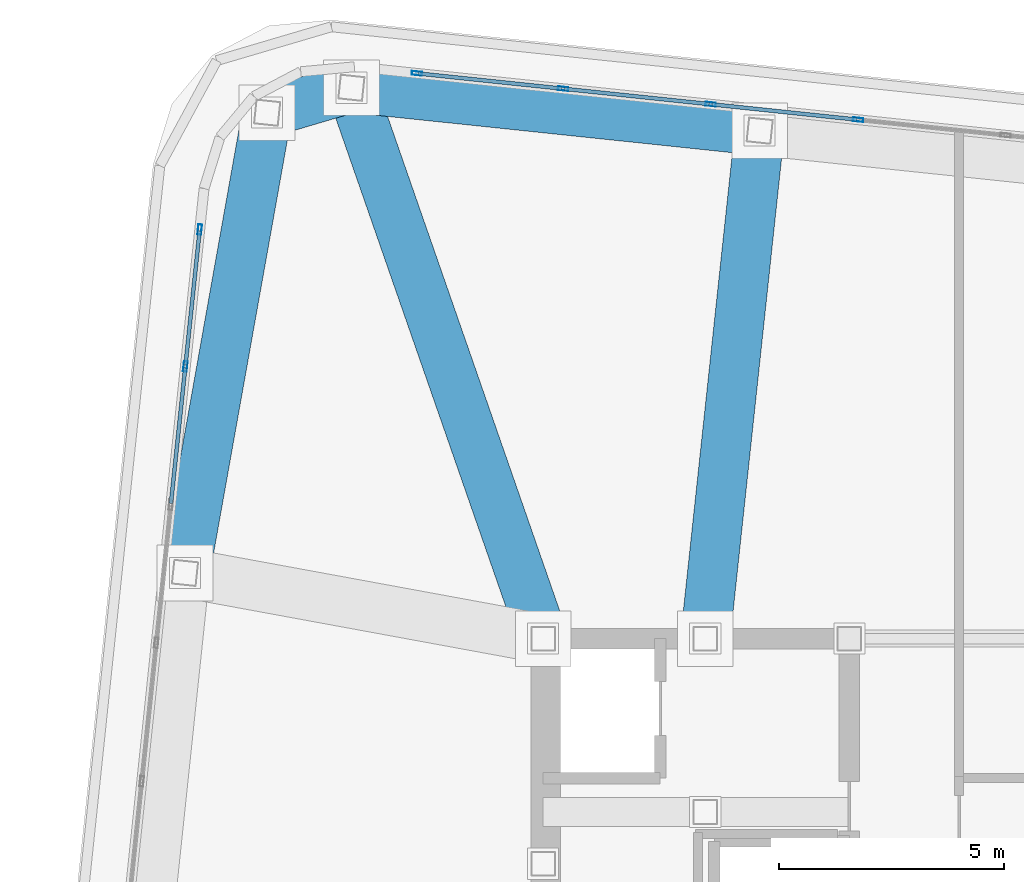
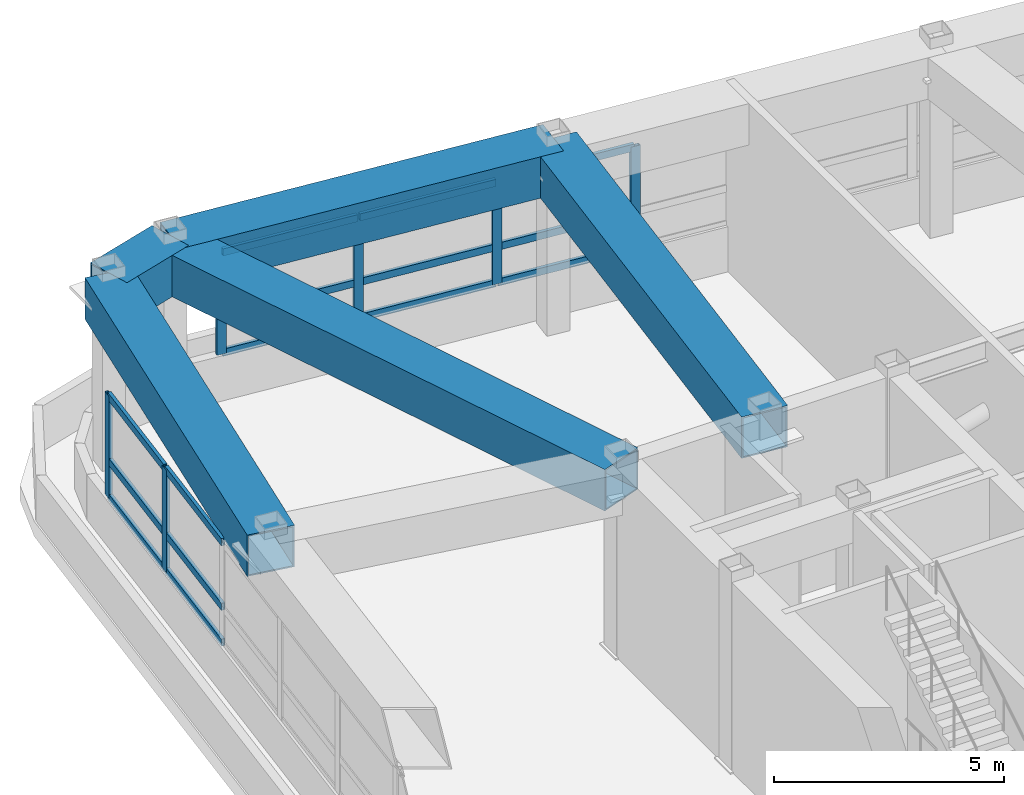
# One storey, part 13 of 22: 21 members, 5 beams, 2 elements without a shape of their own.
"""IFC4 building model written with IfcOpenShell, lengths in metres."""

import ifcopenshell
import ifcopenshell.guid

model = None  # the IFC model being written
_history = None  # IfcOwnerHistory: only IFC2X3 demands one
_inside = {}  # id of a spatial element -> (the spatial element, [elements in it])
_under = {}  # id of a project, library or spatial element -> (it, [spatial elements below it])
_declared = {}  # id of a project -> (the project, [libraries it declares])
_typed = {}  # id of a type object -> (the type object, [elements of that type])
_made_of = {}  # id of a material, layer set ... -> (it, [elements and type objects made of it])


def new_model(schema):
    """Start an empty IFC model of exactly this schema.

    Asked for "IFC4X3", IfcOpenShell would pick the latest addendum, in which some entities
    have other attributes; the version numbers below select the first issue.
    IFC2X3 requires an IfcOwnerHistory on every rooted entity: one is made here for all.
    """
    global model, _history
    if schema == "IFC4X3":
        model = ifcopenshell.file(schema_version=(4, 3, 0, 0))
    else:
        model = ifcopenshell.file(schema=schema)
    _inside.clear()
    _under.clear()
    _declared.clear()
    _typed.clear()
    _made_of.clear()
    _history = None
    if model.schema == "IFC2X3":
        org = make("IfcOrganization", Name="unknown")
        user = make(
            "IfcPersonAndOrganization",
            ThePerson=make("IfcPerson", FamilyName="unknown"),
            TheOrganization=org,
        )
        app = make(
            "IfcApplication",
            ApplicationDeveloper=org,
            Version="unknown",
            ApplicationFullName="unknown",
            ApplicationIdentifier="unknown",
        )
        _history = make(
            "IfcOwnerHistory",
            OwningUser=user,
            OwningApplication=app,
            ChangeAction="ADDED",
            CreationDate=0,
        )
    return model


def make(cls, **values):
    """One entity of the class cls with the attributes given. An attribute that is None is left unset."""
    return model.create_entity(
        cls, **{name: value for name, value in values.items() if value is not None}
    )


def rooted(cls, **values):
    """An entity with a GlobalId (a new one), such as an element, a storey or a relation."""
    return make(cls, GlobalId=ifcopenshell.guid.new(), OwnerHistory=_history, **values)


def si_unit(unit_type, name, prefix=None):
    """IfcSIUnit, for example si_unit("LENGTHUNIT", "METRE", prefix="MILLI")."""
    return make("IfcSIUnit", UnitType=unit_type, Prefix=prefix, Name=name)


def assignment(units):
    """IfcUnitAssignment: the units of a project."""
    return None if units is None else make("IfcUnitAssignment", Units=units)


def point(xyz):
    """IfcCartesianPoint."""
    return None if xyz is None else make("IfcCartesianPoint", Coordinates=xyz)


def direction(xyz):
    """IfcDirection."""
    return None if xyz is None else make("IfcDirection", DirectionRatios=xyz)


def frame(location, z_axis=None, x_axis=None):
    """IfcAxis2Placement3D, a coordinate frame: its origin and axes. An axis left out is left unset."""
    return make(
        "IfcAxis2Placement3D",
        Location=point(location),
        Axis=direction(z_axis),
        RefDirection=direction(x_axis),
    )


def frame_2d(location, x_axis=None):
    """IfcAxis2Placement2D, a coordinate frame in the plane: its origin and x axis."""
    return make(
        "IfcAxis2Placement2D", Location=point(location), RefDirection=direction(x_axis)
    )


def origin():
    """The frame at (0, 0, 0) with its axes left unset."""
    return frame((0.0, 0.0, 0.0))


def origin_2d():
    """The frame at (0, 0) in the plane with its x axis left unset."""
    return frame_2d((0.0, 0.0))


def place(relative_to, where):
    """IfcLocalPlacement: puts the frame where relative to a parent placement (None: the world)."""
    return make(
        "IfcLocalPlacement", PlacementRelTo=relative_to, RelativePlacement=where
    )


def context(
    kind, dimensions, precision=None, world=None, true_north=None, identifier=None
):
    """IfcGeometricRepresentationContext, for example the 3D "Model" context."""
    return make(
        "IfcGeometricRepresentationContext",
        ContextIdentifier=identifier,
        ContextType=kind,
        CoordinateSpaceDimension=dimensions,
        Precision=precision,
        WorldCoordinateSystem=world,
        TrueNorth=true_north,
    )


def subcontext(parent, identifier, kind, view, scale=None):
    """IfcGeometricRepresentationSubContext, for example "Body" below "Model"."""
    return make(
        "IfcGeometricRepresentationSubContext",
        ContextIdentifier=identifier,
        ContextType=kind,
        ParentContext=parent,
        TargetScale=scale,
        TargetView=view,
    )


def project(units=None, contexts=None):
    """IfcProject with its units and contexts."""
    return rooted(
        "IfcProject",
        Name="project",
        RepresentationContexts=contexts,
        UnitsInContext=assignment(units),
    )


def spatial(cls, under=None, at=None, **own):
    """A site, building, storey or space (cls), placed at a placement, below another one or the project."""
    s = rooted(cls, ObjectPlacement=at, **own)
    if under is not None:
        _under.setdefault(under.id(), (under, []))[1].append(s)
    return s


def profile(cls, at=None, kind="AREA", **sizes):
    """A parametric profile (cls). Its sizes go by their IFC names, for example OverallWidth=200.0."""
    return make(cls, ProfileType=kind, Position=at, **sizes)


def hollow_rectangle(**sizes):
    """IfcRectangleHollowProfileDef."""
    return profile("IfcRectangleHollowProfileDef", **sizes)


def extrude(swept, where, along, depth):
    """IfcExtrudedAreaSolid: the profile swept, set in the frame where, extruded along a direction by depth."""
    return make(
        "IfcExtrudedAreaSolid",
        SweptArea=swept,
        Position=where,
        ExtrudedDirection=direction(along),
        Depth=depth,
    )


def shape(context_of_items, identifier, shape_type, items):
    """IfcShapeRepresentation: the items that make up one representation, for example the "Body"."""
    return make(
        "IfcShapeRepresentation",
        ContextOfItems=context_of_items,
        RepresentationIdentifier=identifier,
        RepresentationType=shape_type,
        Items=items,
    )


def material(Name=None, Category=None):
    """IfcMaterial."""
    return make("IfcMaterial", Name=Name, Category=Category)


def layer(
    of_material, thickness, ventilated=None, Name=None, Category=None, Priority=None
):
    """IfcMaterialLayer: one layer of a wall or slab, of a material (None: an air gap)."""
    return make(
        "IfcMaterialLayer",
        Material=of_material,
        LayerThickness=thickness,
        IsVentilated=ventilated,
        Name=Name,
        Category=Category,
        Priority=Priority,
    )


def layer_set(layers, Name=None):
    """IfcMaterialLayerSet."""
    return make("IfcMaterialLayerSet", MaterialLayers=layers, LayerSetName=Name)


def material_profile(
    of_material, cross_section, Name=None, Category=None, Priority=None
):
    """IfcMaterialProfile: a cross section and its material."""
    return make(
        "IfcMaterialProfile",
        Name=Name,
        Material=of_material,
        Profile=cross_section,
        Priority=Priority,
        Category=Category,
    )


def profile_set(profiles, Name=None, composite=None):
    """IfcMaterialProfileSet."""
    return make(
        "IfcMaterialProfileSet",
        Name=Name,
        MaterialProfiles=profiles,
        CompositeProfile=composite,
    )


def made_of(thing, what):
    """Note that an element or type object is made of a material, layer set ...; save() writes the relation."""
    if what is not None:
        _made_of.setdefault(what.id(), (what, []))[1].append(thing)
    return thing


def type_object(cls, material=None, **own):
    """A type object (cls), such as IfcWallType, which elements share."""
    return made_of(rooted(cls, **own), material)


def element(
    cls,
    number,
    at=None,
    inside=None,
    cuts=None,
    type_object=None,
    material=None,
    context=None,
    identifier="Body",
    shape_type=None,
    held_by="IfcProductDefinitionShape",
    body=None,
    shapes=None,
    **own,
):
    """One element of the class cls, such as IfcWall. Its Tag is "e" and its number.

    at: its placement. inside: the storey or other place that contains it. cuts: it is an
    opening in that element (IfcRelVoidsElement). A single representation is given by context,
    identifier, shape_type and body (its items); several are given by shapes. held_by: the class
    of the entity that holds the representations. save() writes the other relations.
    """
    e = rooted(cls, Tag="e%d" % number, ObjectPlacement=at, **own)
    if body is not None:
        shapes = [shape(context, identifier, shape_type, body)]
    if shapes is not None:
        e.Representation = make(held_by, Representations=shapes)
    if inside is not None:
        _inside.setdefault(inside.id(), (inside, []))[1].append(e)
    if cuts is not None:
        rooted(
            "IfcRelVoidsElement", RelatingBuildingElement=cuts, RelatedOpeningElement=e
        )
    if type_object is not None:
        _typed.setdefault(type_object.id(), (type_object, []))[1].append(e)
    return made_of(e, material)


def aggregate(whole, parts):
    """IfcRelAggregates: a whole, such as a stair, and the parts it consists of."""
    return rooted("IfcRelAggregates", RelatingObject=whole, RelatedObjects=parts)


def save(model, path):
    """Write the relations noted so far, then the file.

    IfcRelAggregates (storeys below a building ...), IfcRelContainedInSpatialStructure (elements
    in a storey), IfcRelDefinesByType, IfcRelAssociatesMaterial and IfcRelDeclares: one each for
    every whole, place, type object, material and project.
    """
    for whole, parts in _under.values():
        aggregate(whole, parts)
    for where, things in _inside.values():
        rooted(
            "IfcRelContainedInSpatialStructure",
            RelatedElements=things,
            RelatingStructure=where,
        )
    for kind, things in _typed.values():
        rooted("IfcRelDefinesByType", RelatedObjects=things, RelatingType=kind)
    for what, things in _made_of.values():
        rooted("IfcRelAssociatesMaterial", RelatedObjects=things, RelatingMaterial=what)
    for by, libraries in _declared.values():
        rooted("IfcRelDeclares", RelatingContext=by, RelatedDefinitions=libraries)
    model.write(path)


model = new_model("IFC4")

# Units and contexts
model_context = context("Model", 3, precision=1e-05, world=origin(), true_north=direction((0.0, 1.0)))
body_context = subcontext(model_context, "Body", "Model", "MODEL_VIEW")
ifc_project = project(units=[si_unit("LENGTHUNIT", "METRE"), si_unit("AREAUNIT", "SQUARE_METRE"), si_unit("VOLUMEUNIT", "CUBIC_METRE"), si_unit("PLANEANGLEUNIT", "RADIAN"), si_unit("MASSUNIT", "GRAM", prefix="KILO")], contexts=[model_context])

# Site, building, storey
site_placement = place(None, origin())
site = spatial("IfcSite", under=ifc_project, at=site_placement, CompositionType="ELEMENT")
building_placement = place(site_placement, origin())
building = spatial("IfcBuilding", under=site, at=building_placement, Name="Voryun Gate Residences", CompositionType="ELEMENT")
storey_placement = place(building_placement, frame((0.0, 0.0, 310.699951171875)))
storey = spatial("IfcBuildingStorey", under=building, at=storey_placement, Name="L77", CompositionType="ELEMENT", Elevation=310.699951171875)

# Beams
ifc_material_1 = material(Name="Steel SM420", Category="steel")
ifc_material_profile_1 = material_profile(ifc_material_1, hollow_rectangle(XDim=1.10009765625, YDim=1.10009765625, WallThickness=0.035888671875, at=origin_2d()), Name="BOX-1100x1100x36")
ifc_profile_set_1 = profile_set([ifc_material_profile_1], Name="Steel SM420")
beam_type = type_object("IfcBeamType", Name="BM_ARCH_RIB", PredefinedType="USERDEFINED", material=ifc_profile_set_1)
beam_1_placement = place(storey_placement, frame((-14.3916015625, 18.684814453125, 4.47509765625), z_axis=(-0.994520844313, 0.104538462908, 0.0), x_axis=(-0.104538462908, -0.994520844313, 0.0)))
element("IfcBeam", 1, at=beam_1_placement, inside=storey, type_object=beam_type, Name="BM-L77-SPAND-15", ObjectType="GIRDER", PredefinedType="USERDEFINED", context=body_context, shape_type="SweptSolid", body=[
    extrude(hollow_rectangle(XDim=1.10009765625, YDim=1.10009765625, WallThickness=0.035888671875, at=origin_2d()), origin(), (0.0, 0.0, 1.0), 9.119873046875),
])
beam_2_placement = place(storey_placement, frame((-23.46142578125, 19.63818359375, 4.47509765625), z_axis=(-0.958835963288, -0.283960552728, 0.0), x_axis=(0.283960552728, -0.958835963288, 0.0)))
element("IfcBeam", 2, at=beam_2_placement, inside=storey, type_object=beam_type, Name="BM-L77-SPAND-16", ObjectType="GIRDER", PredefinedType="USERDEFINED", context=body_context, shape_type="SweptSolid", body=[
    extrude(hollow_rectangle(XDim=1.10009765625, YDim=1.10009765625, WallThickness=0.035888671875, at=origin_2d()), origin(), (0.0, 0.0, 1.0), 1.95166015625),
])
beam_3_placement = place(storey_placement, frame((-25.332763671875, 19.083984375, 4.47509765625), z_axis=(-0.175791452213, -0.984427430199, 0.0), x_axis=(0.984427430199, -0.175791452213, 0.0)))
element("IfcBeam", 3, at=beam_3_placement, inside=storey, type_object=beam_type, Name="BM-L77-SPAND-17", ObjectType="GIRDER", PredefinedType="USERDEFINED", context=body_context, shape_type="SweptSolid", body=[
    extrude(hollow_rectangle(XDim=1.10009765625, YDim=1.10009765625, WallThickness=0.035888671875, at=origin_2d()), origin(), (0.0, 0.0, 1.0), 10.384033203125),
])
beam_4_placement = place(storey_placement, frame((-15.60009765625, 7.39990234375, 4.47509765625), z_axis=(0.106480715232, 0.994314767709, 0.0), x_axis=(-0.994314767709, 0.106480715232, 0.0)))
element("IfcBeam", 4, at=beam_4_placement, inside=storey, type_object=beam_type, Name="BM-L77-RAD-N5", ObjectType="GIRDER", PredefinedType="USERDEFINED", context=body_context, shape_type="SweptSolid", body=[
    extrude(hollow_rectangle(XDim=1.10009765625, YDim=1.10009765625, WallThickness=0.035888671875, at=origin_2d()), origin(), (0.0, 0.0, 1.0), 11.349365234375),
])
beam_5_placement = place(storey_placement, frame((-19.199951171875, 7.39990234375, 4.47509765625), z_axis=(-0.328842846436, 0.944384658043, 0.0), x_axis=(-0.944384658043, -0.328842846436, 0.0)))
element("IfcBeam", 5, at=beam_5_placement, inside=storey, type_object=beam_type, Name="BM-L77-RAD-N6", ObjectType="GIRDER", PredefinedType="USERDEFINED", context=body_context, shape_type="SweptSolid", body=[
    extrude(hollow_rectangle(XDim=1.10009765625, YDim=1.10009765625, WallThickness=0.035888671875, at=origin_2d()), origin(), (0.0, 0.0, 1.0), 12.958984375),
])

# Curtain wall, members
ifc_material_2 = material(Name="Anodised aluminium", Category="aluminium")
ifc_layer = layer(ifc_material_2, 0.22998046875, Name="CW_SYS_LANTERN_DARK_GLASS")
ifc_layer_set = layer_set([ifc_layer], Name="Anodised aluminium")
curtain_wall_type = type_object("IfcCurtainWallType", Name="CW_SYS_LANTERN_DARK_GLASS", PredefinedType="NOTDEFINED", material=ifc_layer_set)
curtain_wall_1_placement = place(storey_placement, origin())
curtain_wall_1 = element("IfcCurtainWall", 6, at=curtain_wall_1_placement, inside=storey, type_object=curtain_wall_type, Name="Curtain wall CW6-L77-06", PredefinedType="NOTDEFINED")
ifc_material_3 = material(Name="Anodised aluminium", Category="aluminium")
ifc_material_profile_2 = material_profile(ifc_material_3, hollow_rectangle(XDim=0.0849609375, YDim=0.22998046875, WallThickness=0.006103515625, at=origin_2d()), Name="ALU-MULL-230x85x6")
ifc_profile_set_2 = profile_set([ifc_material_profile_2], Name="Anodised aluminium")
member_type_1 = type_object("IfcMemberType", Name="CW_MULL_LANT", PredefinedType="MULLION", material=ifc_profile_set_2)
member_1_placement = place(storey_placement, frame((-27.14892578125, 13.447265625, 1.18994140625), z_axis=(0.0, 0.0, 1.0), x_axis=(-0.994521943608, 0.104528004296, 0.0)))
member_1 = element("IfcMember", 7, at=member_1_placement, type_object=member_type_1, Name="CW6 mullion 9", PredefinedType="MULLION", context=body_context, shape_type="SweptSolid", body=[
    extrude(hollow_rectangle(XDim=0.0849609375, YDim=0.22998046875, WallThickness=0.006103515625, at=origin_2d()), origin(), (0.0, 0.0, 1.0), 2.72509765625),
])
member_2_placement = place(storey_placement, frame((-26.829345703125, 16.48828125, 1.18994140625), z_axis=(0.0, 0.0, 1.0), x_axis=(-0.994521943608, 0.104528004296, 0.0)))
member_2 = element("IfcMember", 8, at=member_2_placement, type_object=member_type_1, Name="CW6 mullion 10", PredefinedType="MULLION", context=body_context, shape_type="SweptSolid", body=[
    extrude(hollow_rectangle(XDim=0.0849609375, YDim=0.22998046875, WallThickness=0.006103515625, at=origin_2d()), origin(), (0.0, 0.0, 1.0), 2.72509765625),
])

curtain_wall_2_placement = place(storey_placement, origin())
curtain_wall_2 = element("IfcCurtainWall", 9, at=curtain_wall_2_placement, inside=storey, type_object=curtain_wall_type, Name="Curtain wall CW6-L77-11", PredefinedType="NOTDEFINED")
member_3_placement = place(storey_placement, frame((-22.005615234375, 19.957763671875, 1.18994140625), z_axis=(0.0, 0.0, 1.0), x_axis=(0.10452775858, 0.994521969434, 0.0)))
member_3 = element("IfcMember", 10, at=member_3_placement, type_object=member_type_1, Name="CW6 mullion 1", PredefinedType="MULLION", context=body_context, shape_type="SweptSolid", body=[
    extrude(hollow_rectangle(XDim=0.0849609375, YDim=0.22998046875, WallThickness=0.006103515625, at=origin_2d()), origin(), (0.0, 0.0, 1.0), 2.72509765625),
])
member_4_placement = place(storey_placement, frame((-18.7587890625, 19.616455078125, 1.18994140625), z_axis=(0.0, 0.0, 1.0), x_axis=(0.10452775858, 0.994521969434, 0.0)))
member_4 = element("IfcMember", 11, at=member_4_placement, type_object=member_type_1, Name="CW6 mullion 2", PredefinedType="MULLION", context=body_context, shape_type="SweptSolid", body=[
    extrude(hollow_rectangle(XDim=0.0849609375, YDim=0.22998046875, WallThickness=0.006103515625, at=origin_2d()), origin(), (0.0, 0.0, 1.0), 2.72509765625),
])
member_5_placement = place(storey_placement, frame((-15.482177734375, 19.272216796875, 1.18994140625), z_axis=(0.0, 0.0, 1.0), x_axis=(0.10452775858, 0.994521969434, 0.0)))
member_5 = element("IfcMember", 12, at=member_5_placement, type_object=member_type_1, Name="CW6 mullion 3", PredefinedType="MULLION", context=body_context, shape_type="SweptSolid", body=[
    extrude(hollow_rectangle(XDim=0.0849609375, YDim=0.22998046875, WallThickness=0.006103515625, at=origin_2d()), origin(), (0.0, 0.0, 1.0), 2.72509765625),
])
member_6_placement = place(storey_placement, frame((-12.20556640625, 18.927734375, 1.18994140625), z_axis=(0.0, 0.0, 1.0), x_axis=(0.10452775858, 0.994521969434, 0.0)))
member_6 = element("IfcMember", 13, at=member_6_placement, type_object=member_type_1, Name="CW6 mullion 4", PredefinedType="MULLION", context=body_context, shape_type="SweptSolid", body=[
    extrude(hollow_rectangle(XDim=0.0849609375, YDim=0.22998046875, WallThickness=0.006103515625, at=origin_2d()), origin(), (0.0, 0.0, 1.0), 2.72509765625),
])

# Member
ifc_material_4 = material(Name="Anodised aluminium", Category="aluminium")
ifc_material_profile_3 = material_profile(ifc_material_4, hollow_rectangle(XDim=0.0849609375, YDim=0.18994140625, WallThickness=0.006103515625, at=origin_2d()), Name="ALU-TRAN-190x85x6")
ifc_profile_set_3 = profile_set([ifc_material_profile_3], Name="Anodised aluminium")
member_type_2 = type_object("IfcMemberType", Name="CW_TRAN_LANT", PredefinedType="USERDEFINED", material=ifc_profile_set_3)
member_7_placement = place(storey_placement, frame((-27.468505859375, 10.406005859375, 1.219970703125), z_axis=(0.104500100479, 0.994524876009, 0.0), x_axis=(-0.994524876009, 0.104500100479, 0.0)))
member_7 = element("IfcMember", 14, at=member_7_placement, type_object=member_type_2, Name="CW6 transom 8.1", ObjectType="TRANSOM", PredefinedType="USERDEFINED", context=body_context, shape_type="SweptSolid", body=[
    extrude(hollow_rectangle(XDim=0.0849609375, YDim=0.18994140625, WallThickness=0.006103515625, at=origin_2d()), origin(), (0.0, 0.0, 1.0), 3.02783203125),
])

member_8_placement = place(storey_placement, frame((-27.468505859375, 10.406005859375, 2.171142578125), z_axis=(0.104500100479, 0.994524876009, 0.0), x_axis=(-0.994524876009, 0.104500100479, 0.0)))
member_8 = element("IfcMember", 15, at=member_8_placement, type_object=member_type_2, Name="CW6 transom 8.2", ObjectType="TRANSOM", PredefinedType="USERDEFINED", context=body_context, shape_type="SweptSolid", body=[
    extrude(hollow_rectangle(XDim=0.0849609375, YDim=0.18994140625, WallThickness=0.006103515625, at=origin_2d()), origin(), (0.0, 0.0, 1.0), 3.02783203125),
])

member_9_placement = place(storey_placement, frame((-27.468505859375, 10.406005859375, 3.885009765625), z_axis=(0.104500100479, 0.994524876009, 0.0), x_axis=(-0.994524876009, 0.104500100479, 0.0)))
member_9 = element("IfcMember", 16, at=member_9_placement, type_object=member_type_2, Name="CW6 transom 8.3", ObjectType="TRANSOM", PredefinedType="USERDEFINED", context=body_context, shape_type="SweptSolid", body=[
    extrude(hollow_rectangle(XDim=0.0849609375, YDim=0.18994140625, WallThickness=0.006103515625, at=origin_2d()), origin(), (0.0, 0.0, 1.0), 3.02783203125),
])

member_10_placement = place(storey_placement, frame((-27.145751953125, 13.47705078125, 1.219970703125), z_axis=(0.104566085446, 0.994517940398, 0.0), x_axis=(-0.994517940398, 0.104566085446, 0.0)))
member_10 = element("IfcMember", 17, at=member_10_placement, type_object=member_type_2, Name="CW6 transom 9.1", ObjectType="TRANSOM", PredefinedType="USERDEFINED", context=body_context, shape_type="SweptSolid", body=[
    extrude(hollow_rectangle(XDim=0.0849609375, YDim=0.18994140625, WallThickness=0.006103515625, at=origin_2d()), origin(), (0.0, 0.0, 1.0), 2.997802734375),
])

member_11_placement = place(storey_placement, frame((-27.145751953125, 13.47705078125, 2.171142578125), z_axis=(0.104566085446, 0.994517940398, 0.0), x_axis=(-0.994517940398, 0.104566085446, 0.0)))
member_11 = element("IfcMember", 18, at=member_11_placement, type_object=member_type_2, Name="CW6 transom 9.2", ObjectType="TRANSOM", PredefinedType="USERDEFINED", context=body_context, shape_type="SweptSolid", body=[
    extrude(hollow_rectangle(XDim=0.0849609375, YDim=0.18994140625, WallThickness=0.006103515625, at=origin_2d()), origin(), (0.0, 0.0, 1.0), 2.997802734375),
])

member_12_placement = place(storey_placement, frame((-27.145751953125, 13.47705078125, 3.885009765625), z_axis=(0.104566085446, 0.994517940398, 0.0), x_axis=(-0.994517940398, 0.104566085446, 0.0)))
member_12 = element("IfcMember", 19, at=member_12_placement, type_object=member_type_2, Name="CW6 transom 9.3", ObjectType="TRANSOM", PredefinedType="USERDEFINED", context=body_context, shape_type="SweptSolid", body=[
    extrude(hollow_rectangle(XDim=0.0849609375, YDim=0.18994140625, WallThickness=0.006103515625, at=origin_2d()), origin(), (0.0, 0.0, 1.0), 2.997802734375),
])

aggregate(curtain_wall_1, [member_1, member_2, member_7, member_8, member_9, member_10, member_11, member_12])

member_13_placement = place(storey_placement, frame((-21.975830078125, 19.95458984375, 1.219970703125), z_axis=(0.994522970689, -0.104518231772, 0.0), x_axis=(0.104518231772, 0.994522970689, 0.0)))
member_13 = element("IfcMember", 20, at=member_13_placement, type_object=member_type_2, Name="CW6 transom 1.1", ObjectType="TRANSOM", PredefinedType="USERDEFINED", context=body_context, shape_type="SweptSolid", body=[
    extrude(hollow_rectangle(XDim=0.0849609375, YDim=0.18994140625, WallThickness=0.006103515625, at=origin_2d()), origin(), (0.0, 0.0, 1.0), 3.204833984375),
])

member_14_placement = place(storey_placement, frame((-21.975830078125, 19.95458984375, 2.171142578125), z_axis=(0.994522970689, -0.104518231772, 0.0), x_axis=(0.104518231772, 0.994522970689, 0.0)))
member_14 = element("IfcMember", 21, at=member_14_placement, type_object=member_type_2, Name="CW6 transom 1.2", ObjectType="TRANSOM", PredefinedType="USERDEFINED", context=body_context, shape_type="SweptSolid", body=[
    extrude(hollow_rectangle(XDim=0.0849609375, YDim=0.18994140625, WallThickness=0.006103515625, at=origin_2d()), origin(), (0.0, 0.0, 1.0), 3.204833984375),
])

member_15_placement = place(storey_placement, frame((-21.975830078125, 19.95458984375, 3.885009765625), z_axis=(0.994522970689, -0.104518231772, 0.0), x_axis=(0.104518231772, 0.994522970689, 0.0)))
member_15 = element("IfcMember", 22, at=member_15_placement, type_object=member_type_2, Name="CW6 transom 1.3", ObjectType="TRANSOM", PredefinedType="USERDEFINED", context=body_context, shape_type="SweptSolid", body=[
    extrude(hollow_rectangle(XDim=0.0849609375, YDim=0.18994140625, WallThickness=0.006103515625, at=origin_2d()), origin(), (0.0, 0.0, 1.0), 3.204833984375),
])

member_16_placement = place(storey_placement, frame((-18.72900390625, 19.61328125, 1.219970703125), z_axis=(0.994521569819, -0.104531560613, 0.0), x_axis=(0.104531560613, 0.994521569819, 0.0)))
member_16 = element("IfcMember", 23, at=member_16_placement, type_object=member_type_2, Name="CW6 transom 2.1", ObjectType="TRANSOM", PredefinedType="USERDEFINED", context=body_context, shape_type="SweptSolid", body=[
    extrude(hollow_rectangle(XDim=0.0849609375, YDim=0.18994140625, WallThickness=0.006103515625, at=origin_2d()), origin(), (0.0, 0.0, 1.0), 3.23486328125),
])

member_17_placement = place(storey_placement, frame((-18.72900390625, 19.61328125, 2.171142578125), z_axis=(0.994521569819, -0.104531560613, 0.0), x_axis=(0.104531560613, 0.994521569819, 0.0)))
member_17 = element("IfcMember", 24, at=member_17_placement, type_object=member_type_2, Name="CW6 transom 2.2", ObjectType="TRANSOM", PredefinedType="USERDEFINED", context=body_context, shape_type="SweptSolid", body=[
    extrude(hollow_rectangle(XDim=0.0849609375, YDim=0.18994140625, WallThickness=0.006103515625, at=origin_2d()), origin(), (0.0, 0.0, 1.0), 3.23486328125),
])

member_18_placement = place(storey_placement, frame((-18.72900390625, 19.61328125, 3.885009765625), z_axis=(0.994521569819, -0.104531560613, 0.0), x_axis=(0.104531560613, 0.994521569819, 0.0)))
member_18 = element("IfcMember", 25, at=member_18_placement, type_object=member_type_2, Name="CW6 transom 2.3", ObjectType="TRANSOM", PredefinedType="USERDEFINED", context=body_context, shape_type="SweptSolid", body=[
    extrude(hollow_rectangle(XDim=0.0849609375, YDim=0.18994140625, WallThickness=0.006103515625, at=origin_2d()), origin(), (0.0, 0.0, 1.0), 3.23486328125),
])

member_19_placement = place(storey_placement, frame((-15.452392578125, 19.26904296875, 1.219970703125), z_axis=(0.994521569819, -0.104531560613, 0.0), x_axis=(0.104531560613, 0.994521569819, 0.0)))
member_19 = element("IfcMember", 26, at=member_19_placement, type_object=member_type_2, Name="CW6 transom 3.1", ObjectType="TRANSOM", PredefinedType="USERDEFINED", context=body_context, shape_type="SweptSolid", body=[
    extrude(hollow_rectangle(XDim=0.0849609375, YDim=0.18994140625, WallThickness=0.006103515625, at=origin_2d()), origin(), (0.0, 0.0, 1.0), 3.23486328125),
])

member_20_placement = place(storey_placement, frame((-15.452392578125, 19.26904296875, 2.171142578125), z_axis=(0.994521569819, -0.104531560613, 0.0), x_axis=(0.104531560613, 0.994521569819, 0.0)))
member_20 = element("IfcMember", 27, at=member_20_placement, type_object=member_type_2, Name="CW6 transom 3.2", ObjectType="TRANSOM", PredefinedType="USERDEFINED", context=body_context, shape_type="SweptSolid", body=[
    extrude(hollow_rectangle(XDim=0.0849609375, YDim=0.18994140625, WallThickness=0.006103515625, at=origin_2d()), origin(), (0.0, 0.0, 1.0), 3.23486328125),
])

member_21_placement = place(storey_placement, frame((-15.452392578125, 19.26904296875, 3.885009765625), z_axis=(0.994521569819, -0.104531560613, 0.0), x_axis=(0.104531560613, 0.994521569819, 0.0)))
member_21 = element("IfcMember", 28, at=member_21_placement, type_object=member_type_2, Name="CW6 transom 3.3", ObjectType="TRANSOM", PredefinedType="USERDEFINED", context=body_context, shape_type="SweptSolid", body=[
    extrude(hollow_rectangle(XDim=0.0849609375, YDim=0.18994140625, WallThickness=0.006103515625, at=origin_2d()), origin(), (0.0, 0.0, 1.0), 3.23486328125),
])

aggregate(curtain_wall_2, [member_3, member_4, member_5, member_6, member_13, member_14, member_15, member_16, member_17, member_18, member_19, member_20, member_21])

save(model, "model.ifc")
